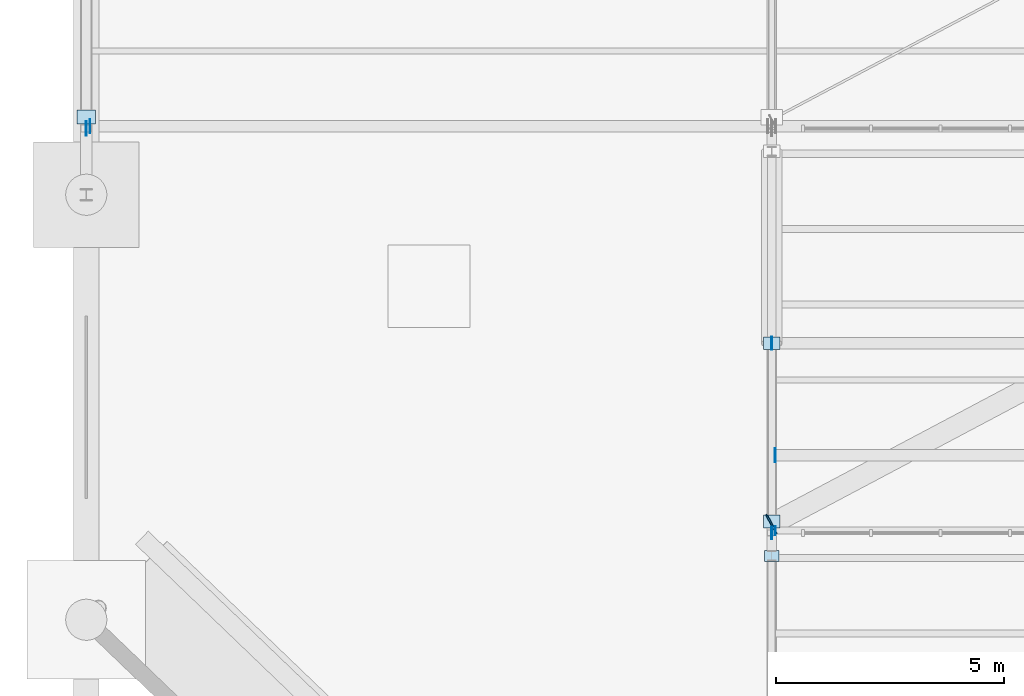
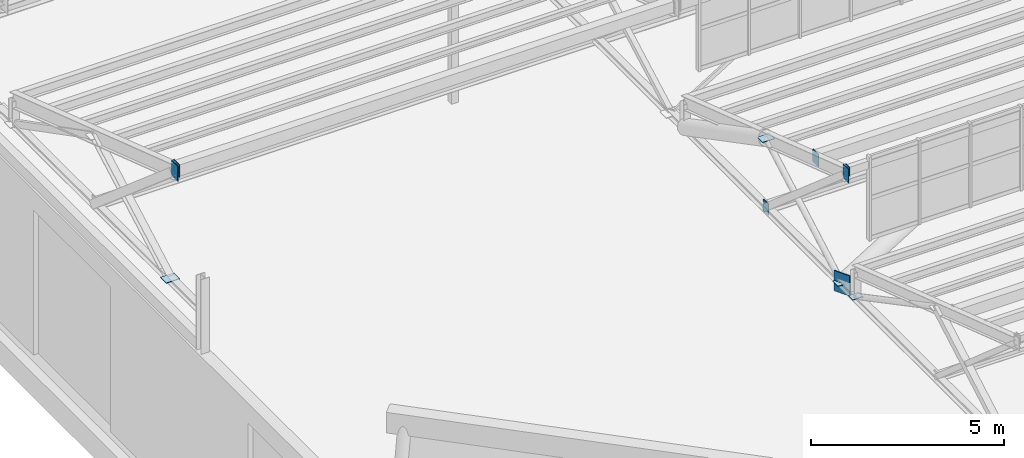
# One storey, part 193 of 285: 11 plates.
"""IFC4 building model written with IfcOpenShell, lengths in metres."""

from ifc_helpers import new_model, si_unit, direction, frame, origin, origin_2d, place, context, subcontext, project, spatial, rectangle, extrude, material, layer, layer_set, type_object, element, save


model = new_model("IFC4")

# Units and contexts
model_context = context("Model", 3, precision=1e-05, world=origin(), true_north=direction((0.0, 1.0)))
body_context = subcontext(model_context, "Body", "Model", "MODEL_VIEW")
ifc_project = project(units=[si_unit("LENGTHUNIT", "METRE"), si_unit("AREAUNIT", "SQUARE_METRE"), si_unit("VOLUMEUNIT", "CUBIC_METRE"), si_unit("PLANEANGLEUNIT", "RADIAN"), si_unit("MASSUNIT", "GRAM", prefix="KILO")], contexts=[model_context])

# Site, building, storey
site_placement = place(None, origin())
site = spatial("IfcSite", under=ifc_project, at=site_placement, CompositionType="ELEMENT")
building_placement = place(site_placement, origin())
building = spatial("IfcBuilding", under=site, at=building_placement, Name="Solanera Park Tramway Depot", CompositionType="ELEMENT")
storey_placement = place(building_placement, origin())
storey = spatial("IfcBuildingStorey", under=building, at=storey_placement, Name="L00", CompositionType="ELEMENT", Elevation=0.0)

# Plates
ifc_material_1 = material(Name="Steel AS/NZS 3679.1 Grade 350", Category="steel")
ifc_layer_1 = layer(ifc_material_1, 0.013916015625)
ifc_layer_set_1 = layer_set([ifc_layer_1], Name="Steel AS/NZS 3679.1 Grade 350")
plate_type_1 = type_object("IfcPlateType", Name="Hollow End Cap and Base Plate 280x200x14", PredefinedType="USERDEFINED", material=ifc_layer_set_1)
plate_1_placement = place(storey_placement, frame((15.077880859375, 64.64990234375, 10.0), z_axis=(0.0, 0.0, 1.0), x_axis=(1.0, 0.0, 0.0)))
element("IfcPlate", 1, at=plate_1_placement, inside=storey, type_object=plate_type_1, Name="Hollow Section Welded End Cap Plate #0222", ObjectType="BASE PLATE", PredefinedType="USERDEFINED", context=body_context, shape_type="SweptSolid", body=[
    extrude(rectangle(XDim=0.013916015625, YDim=0.199951171875, at=origin_2d()), origin(), (0.0, 0.0, 1.0), 0.280029296875),
])
ifc_material_2 = material(Name="Steel AS/NZS 3679.1 Grade 350", Category="steel")
ifc_layer_2 = layer(ifc_material_2, 0.01611328125)
ifc_layer_set_2 = layer_set([ifc_layer_2], Name="Steel AS/NZS 3679.1 Grade 350")
plate_type_2 = type_object("IfcPlateType", Name="Hollow End Cap and Base Plate 320x240x16", PredefinedType="USERDEFINED", material=ifc_layer_set_2)
plate_2_placement = place(storey_placement, frame((15.0, 64.10009765625, 6.491943359375), z_axis=(0.0, 0.0, 1.0), x_axis=(1.0, 0.0, 0.0)))
element("IfcPlate", 2, at=plate_2_placement, inside=storey, type_object=plate_type_2, Name="Sawtooth Truss Node Cap Plate #0074", ObjectType="BASE PLATE", PredefinedType="USERDEFINED", context=body_context, shape_type="SweptSolid", body=[
    extrude(rectangle(XDim=0.320068359375, YDim=0.239990234375, at=origin_2d()), origin(), (0.0, 0.0, 1.0), 0.01611328125),
])
ifc_material_3 = material(Name="Steel AS/NZS 3679.1 Grade 350", Category="steel")
ifc_layer_3 = layer(ifc_material_3, 0.01806640625)
ifc_layer_set_3 = layer_set([ifc_layer_3], Name="Steel AS/NZS 3679.1 Grade 350")
plate_type_3 = type_object("IfcPlateType", Name="Hollow End Cap and Base Plate 360x280x18", PredefinedType="USERDEFINED", material=ifc_layer_set_3)
plate_3_placement = place(storey_placement, frame((15.0, 68.75, 6.31982421875), z_axis=(0.0, 0.0, 1.0), x_axis=(1.0, 0.0, 0.0)))
element("IfcPlate", 3, at=plate_3_placement, inside=storey, type_object=plate_type_3, Name="Sawtooth Truss Hollow End Cap #0178", ObjectType="BASE PLATE", PredefinedType="USERDEFINED", context=body_context, shape_type="SweptSolid", body=[
    extrude(rectangle(XDim=0.01806640625, YDim=0.280029296875, at=origin_2d()), origin(), (0.0, 0.0, 1.0), 0.360107421875),
])
for number, where, z_axis, x_axis, name in (
    (4, (15.0, 68.75, 8.68408203125), (0.0, 0.0, 1.0), (1.0, 0.0, 0.0), "Sawtooth Truss Node Cap Plate #0180"),
    (5, (15.0, 64.85009765625, 6.490966796875), (0.0, 0.0, 1.0), (1.0, 0.0, 0.0), "Sawtooth Truss Node Cap Plate #0181"),
):
    element("IfcPlate", number, at=place(storey_placement, frame(where, z_axis=z_axis, x_axis=x_axis)), inside=storey, type_object=plate_type_3, Name=name, ObjectType="BASE PLATE", PredefinedType="USERDEFINED", context=body_context, shape_type="SweptSolid", body=[
        extrude(rectangle(XDim=0.360107421875, YDim=0.280029296875, at=origin_2d()), origin(), (0.0, 0.0, 1.0), 0.01806640625),
    ])
ifc_material_4 = material(Name="Steel AS/NZS 3679.1 Grade 350", Category="steel")
ifc_layer_4 = layer(ifc_material_4, 0.02001953125)
ifc_layer_set_4 = layer_set([ifc_layer_4], Name="Steel AS/NZS 3679.1 Grade 350")
plate_type_4 = type_object("IfcPlateType", Name="Hollow End Cap and Base Plate 400x300x20", PredefinedType="USERDEFINED", material=ifc_layer_set_4)
plate_4_placement = place(storey_placement, frame((15.074951171875, 66.300048828125, 9.3212890625), z_axis=(0.0, 0.0, 1.0), x_axis=(1.0, 0.0, 0.0)))
element("IfcPlate", 6, at=plate_4_placement, inside=storey, type_object=plate_type_4, Name="Hollow Section Welded End Cap Plate #0238", ObjectType="BASE PLATE", PredefinedType="USERDEFINED", context=body_context, shape_type="SweptSolid", body=[
    extrude(rectangle(XDim=0.02001953125, YDim=0.300048828125, at=origin_2d()), origin(), (0.0, 0.0, 1.0), 0.39990234375),
])
plate_5_placement = place(storey_placement, frame((0.0, 73.699951171875, 6.489990234375), z_axis=(0.0, 0.0, 1.0), x_axis=(1.0, 0.0, 0.0)))
element("IfcPlate", 7, at=plate_5_placement, inside=storey, type_object=plate_type_4, Name="Sawtooth Truss Node Cap Plate #0270", ObjectType="BASE PLATE", PredefinedType="USERDEFINED", context=body_context, shape_type="SweptSolid", body=[
    extrude(rectangle(XDim=0.39990234375, YDim=0.300048828125, at=origin_2d()), origin(), (0.0, 0.0, 1.0), 0.02001953125),
])
plate_6_placement = place(storey_placement, frame((0.081298828125, 73.5, 9.873291015625), z_axis=(0.0, 0.0, 1.0), x_axis=(1.0, 0.0, 0.0)))
element("IfcPlate", 8, at=plate_6_placement, inside=storey, type_object=plate_type_4, Name="Hollow Section Welded End Cap Plate #0321", ObjectType="BASE PLATE", PredefinedType="USERDEFINED", context=body_context, shape_type="SweptSolid", body=[
    extrude(rectangle(XDim=0.02001953125, YDim=0.300048828125, at=origin_2d()), origin(), (0.0, 0.0, 1.0), 0.39990234375),
])
ifc_material_5 = material(Name="Steel AS/NZS 3679.1 Grade 350", Category="steel")
ifc_layer_5 = layer(ifc_material_5, 0.031982421875)
ifc_layer_set_5 = layer_set([ifc_layer_5], Name="Steel AS/NZS 3679.1 Grade 350")
plate_type_5 = type_object("IfcPlateType", Name="Hollow End Cap and Base Plate 640x480x32", PredefinedType="USERDEFINED", material=ifc_layer_set_5)
plate_7_placement = place(storey_placement, frame((14.991455078125, 64.79443359375, 6.18017578125), z_axis=(0.0, 0.0, 1.0), x_axis=(0.883520501477, 0.468392488698, 0.0)))
element("IfcPlate", 9, at=plate_7_placement, inside=storey, type_object=plate_type_5, Name="Hollow Section Welded End Cap Plate #0254", ObjectType="BASE PLATE", PredefinedType="USERDEFINED", context=body_context, shape_type="SweptSolid", body=[
    extrude(rectangle(XDim=0.031982421875, YDim=0.47998046875, at=origin_2d()), origin(), (0.0, 0.0, 1.0), 0.639892578125),
])
ifc_material_6 = material(Name="Steel AS/NZS 3679.1 Grade 350", Category="steel")
ifc_layer_6 = layer(ifc_material_6, 0.01611328125)
ifc_layer_set_6 = layer_set([ifc_layer_6], Name="Steel AS/NZS 3679.1 Grade 350")
plate_type_6 = type_object("IfcPlateType", Name="Truss Node Gusset Stiffener 440x280x16", PredefinedType="SHEET", material=ifc_layer_set_6)
plate_8_placement = place(storey_placement, frame((15.0, 64.60009765625, 9.861572265625), z_axis=(0.0, 0.0, 1.0), x_axis=(1.0, 0.0, 0.0)))
element("IfcPlate", 10, at=plate_8_placement, inside=storey, type_object=plate_type_6, Name="Sawtooth Truss Apex Gusset Plate #0177", PredefinedType="SHEET", context=body_context, shape_type="SweptSolid", body=[
    extrude(rectangle(XDim=0.01611328125, YDim=0.280029296875, at=origin_2d()), origin(), (0.0, 0.0, 1.0), 0.43994140625),
])
ifc_material_7 = material(Name="Steel AS/NZS 3679.1 Grade 350", Category="steel")
ifc_layer_7 = layer(ifc_material_7, 0.01806640625)
ifc_layer_set_7 = layer_set([ifc_layer_7], Name="Steel AS/NZS 3679.1 Grade 350")
plate_type_7 = type_object("IfcPlateType", Name="Truss Node Gusset Stiffener 480x320x18", PredefinedType="SHEET", material=ifc_layer_set_7)
plate_9_placement = place(storey_placement, frame((0.0, 73.449951171875, 9.816162109375), z_axis=(0.0, 0.0, 1.0), x_axis=(1.0, 0.0, 0.0)))
element("IfcPlate", 11, at=plate_9_placement, inside=storey, type_object=plate_type_7, Name="Sawtooth Truss Apex Gusset Plate #0266", PredefinedType="SHEET", context=body_context, shape_type="SweptSolid", body=[
    extrude(rectangle(XDim=0.01806640625, YDim=0.320068359375, at=origin_2d()), origin(), (0.0, 0.0, 1.0), 0.47998046875),
])

save(model, "model.ifc")
